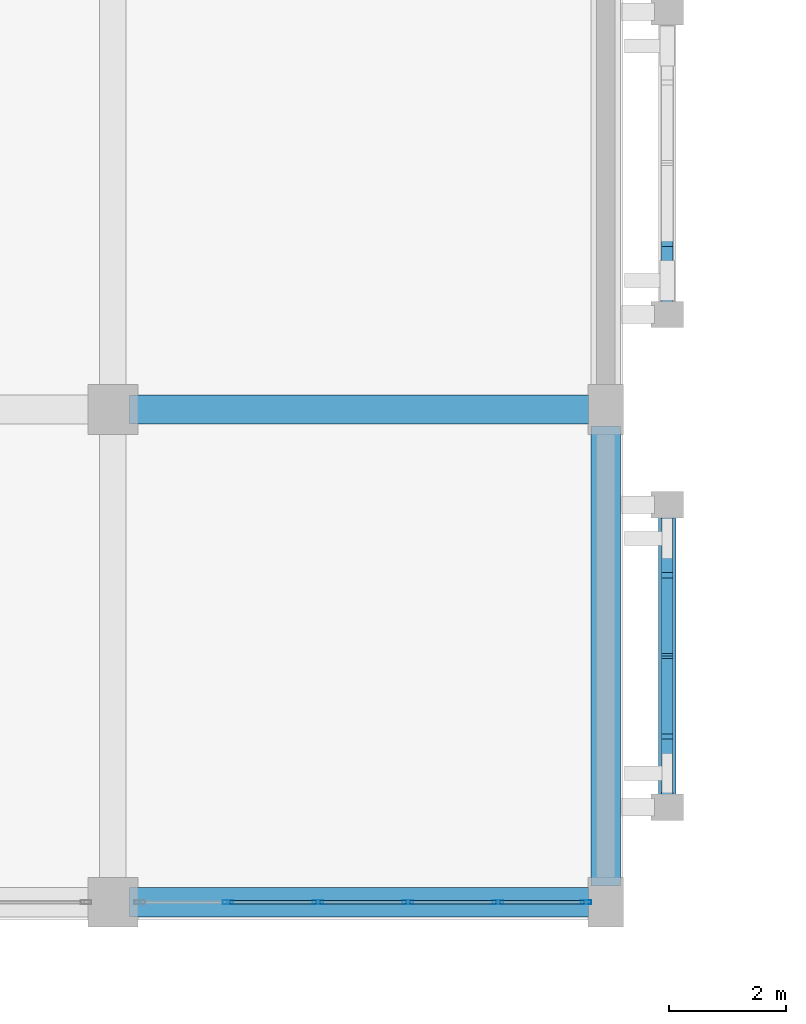
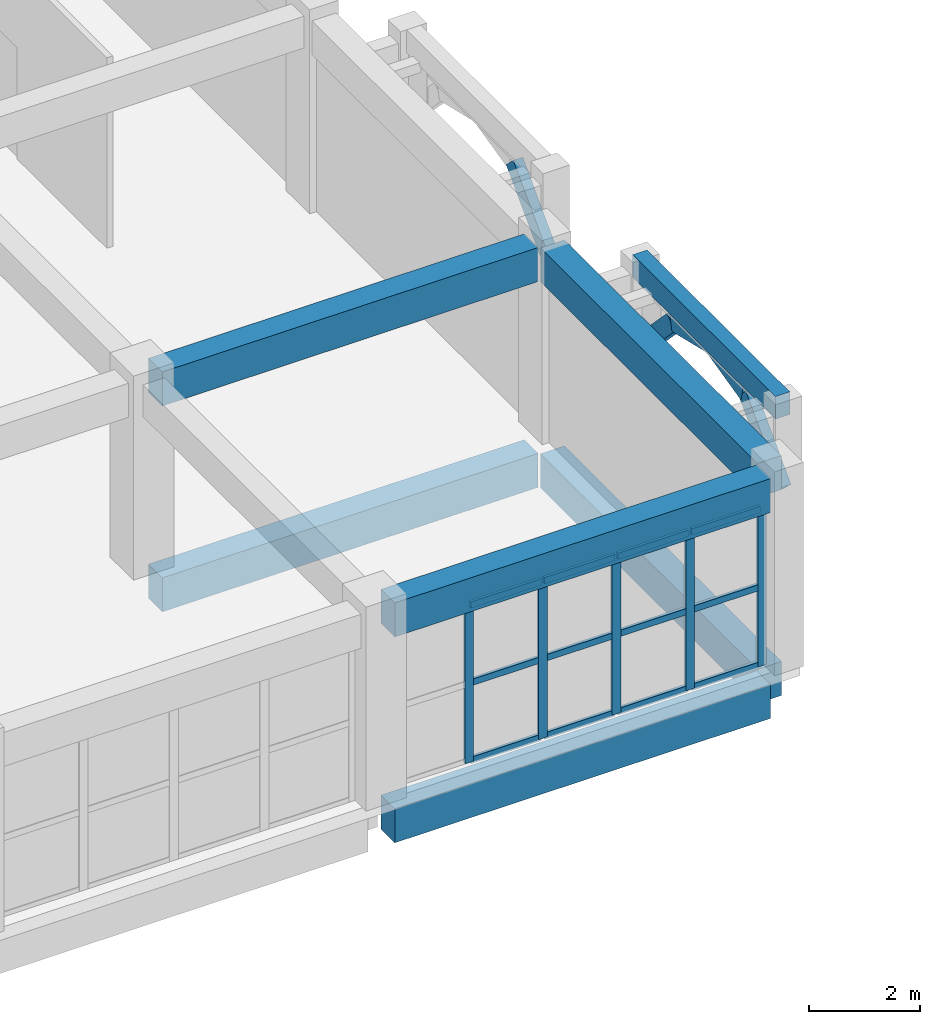
# One storey, part 32 of 129: 22 members, 7 beams, 1 element without a shape of its own.
"""IFC4 building model written with IfcOpenShell, lengths in metres."""

import ifcopenshell
import ifcopenshell.guid

model = None  # the IFC model being written
_history = None  # IfcOwnerHistory: only IFC2X3 demands one
_inside = {}  # id of a spatial element -> (the spatial element, [elements in it])
_under = {}  # id of a project, library or spatial element -> (it, [spatial elements below it])
_declared = {}  # id of a project -> (the project, [libraries it declares])
_typed = {}  # id of a type object -> (the type object, [elements of that type])
_made_of = {}  # id of a material, layer set ... -> (it, [elements and type objects made of it])


def new_model(schema):
    """Start an empty IFC model of exactly this schema.

    Asked for "IFC4X3", IfcOpenShell would pick the latest addendum, in which some entities
    have other attributes; the version numbers below select the first issue.
    IFC2X3 requires an IfcOwnerHistory on every rooted entity: one is made here for all.
    """
    global model, _history
    if schema == "IFC4X3":
        model = ifcopenshell.file(schema_version=(4, 3, 0, 0))
    else:
        model = ifcopenshell.file(schema=schema)
    _inside.clear()
    _under.clear()
    _declared.clear()
    _typed.clear()
    _made_of.clear()
    _history = None
    if model.schema == "IFC2X3":
        org = make("IfcOrganization", Name="unknown")
        user = make(
            "IfcPersonAndOrganization",
            ThePerson=make("IfcPerson", FamilyName="unknown"),
            TheOrganization=org,
        )
        app = make(
            "IfcApplication",
            ApplicationDeveloper=org,
            Version="unknown",
            ApplicationFullName="unknown",
            ApplicationIdentifier="unknown",
        )
        _history = make(
            "IfcOwnerHistory",
            OwningUser=user,
            OwningApplication=app,
            ChangeAction="ADDED",
            CreationDate=0,
        )
    return model


def make(cls, **values):
    """One entity of the class cls with the attributes given. An attribute that is None is left unset."""
    return model.create_entity(
        cls, **{name: value for name, value in values.items() if value is not None}
    )


def rooted(cls, **values):
    """An entity with a GlobalId (a new one), such as an element, a storey or a relation."""
    return make(cls, GlobalId=ifcopenshell.guid.new(), OwnerHistory=_history, **values)


def si_unit(unit_type, name, prefix=None):
    """IfcSIUnit, for example si_unit("LENGTHUNIT", "METRE", prefix="MILLI")."""
    return make("IfcSIUnit", UnitType=unit_type, Prefix=prefix, Name=name)


def assignment(units):
    """IfcUnitAssignment: the units of a project."""
    return None if units is None else make("IfcUnitAssignment", Units=units)


def point(xyz):
    """IfcCartesianPoint."""
    return None if xyz is None else make("IfcCartesianPoint", Coordinates=xyz)


def direction(xyz):
    """IfcDirection."""
    return None if xyz is None else make("IfcDirection", DirectionRatios=xyz)


def frame(location, z_axis=None, x_axis=None):
    """IfcAxis2Placement3D, a coordinate frame: its origin and axes. An axis left out is left unset."""
    return make(
        "IfcAxis2Placement3D",
        Location=point(location),
        Axis=direction(z_axis),
        RefDirection=direction(x_axis),
    )


def frame_2d(location, x_axis=None):
    """IfcAxis2Placement2D, a coordinate frame in the plane: its origin and x axis."""
    return make(
        "IfcAxis2Placement2D", Location=point(location), RefDirection=direction(x_axis)
    )


def origin():
    """The frame at (0, 0, 0) with its axes left unset."""
    return frame((0.0, 0.0, 0.0))


def origin_2d():
    """The frame at (0, 0) in the plane with its x axis left unset."""
    return frame_2d((0.0, 0.0))


def place(relative_to, where):
    """IfcLocalPlacement: puts the frame where relative to a parent placement (None: the world)."""
    return make(
        "IfcLocalPlacement", PlacementRelTo=relative_to, RelativePlacement=where
    )


def context(
    kind, dimensions, precision=None, world=None, true_north=None, identifier=None
):
    """IfcGeometricRepresentationContext, for example the 3D "Model" context."""
    return make(
        "IfcGeometricRepresentationContext",
        ContextIdentifier=identifier,
        ContextType=kind,
        CoordinateSpaceDimension=dimensions,
        Precision=precision,
        WorldCoordinateSystem=world,
        TrueNorth=true_north,
    )


def subcontext(parent, identifier, kind, view, scale=None):
    """IfcGeometricRepresentationSubContext, for example "Body" below "Model"."""
    return make(
        "IfcGeometricRepresentationSubContext",
        ContextIdentifier=identifier,
        ContextType=kind,
        ParentContext=parent,
        TargetScale=scale,
        TargetView=view,
    )


def project(units=None, contexts=None):
    """IfcProject with its units and contexts."""
    return rooted(
        "IfcProject",
        Name="project",
        RepresentationContexts=contexts,
        UnitsInContext=assignment(units),
    )


def spatial(cls, under=None, at=None, **own):
    """A site, building, storey or space (cls), placed at a placement, below another one or the project."""
    s = rooted(cls, ObjectPlacement=at, **own)
    if under is not None:
        _under.setdefault(under.id(), (under, []))[1].append(s)
    return s


def profile(cls, at=None, kind="AREA", **sizes):
    """A parametric profile (cls). Its sizes go by their IFC names, for example OverallWidth=200.0."""
    return make(cls, ProfileType=kind, Position=at, **sizes)


def rectangle(**sizes):
    """IfcRectangleProfileDef."""
    return profile("IfcRectangleProfileDef", **sizes)


def hollow_rectangle(**sizes):
    """IfcRectangleHollowProfileDef."""
    return profile("IfcRectangleHollowProfileDef", **sizes)


def extrude(swept, where, along, depth):
    """IfcExtrudedAreaSolid: the profile swept, set in the frame where, extruded along a direction by depth."""
    return make(
        "IfcExtrudedAreaSolid",
        SweptArea=swept,
        Position=where,
        ExtrudedDirection=direction(along),
        Depth=depth,
    )


def shape(context_of_items, identifier, shape_type, items):
    """IfcShapeRepresentation: the items that make up one representation, for example the "Body"."""
    return make(
        "IfcShapeRepresentation",
        ContextOfItems=context_of_items,
        RepresentationIdentifier=identifier,
        RepresentationType=shape_type,
        Items=items,
    )


def material(Name=None, Category=None):
    """IfcMaterial."""
    return make("IfcMaterial", Name=Name, Category=Category)


def layer(
    of_material, thickness, ventilated=None, Name=None, Category=None, Priority=None
):
    """IfcMaterialLayer: one layer of a wall or slab, of a material (None: an air gap)."""
    return make(
        "IfcMaterialLayer",
        Material=of_material,
        LayerThickness=thickness,
        IsVentilated=ventilated,
        Name=Name,
        Category=Category,
        Priority=Priority,
    )


def layer_set(layers, Name=None):
    """IfcMaterialLayerSet."""
    return make("IfcMaterialLayerSet", MaterialLayers=layers, LayerSetName=Name)


def material_profile(
    of_material, cross_section, Name=None, Category=None, Priority=None
):
    """IfcMaterialProfile: a cross section and its material."""
    return make(
        "IfcMaterialProfile",
        Name=Name,
        Material=of_material,
        Profile=cross_section,
        Priority=Priority,
        Category=Category,
    )


def profile_set(profiles, Name=None, composite=None):
    """IfcMaterialProfileSet."""
    return make(
        "IfcMaterialProfileSet",
        Name=Name,
        MaterialProfiles=profiles,
        CompositeProfile=composite,
    )


def made_of(thing, what):
    """Note that an element or type object is made of a material, layer set ...; save() writes the relation."""
    if what is not None:
        _made_of.setdefault(what.id(), (what, []))[1].append(thing)
    return thing


def type_object(cls, material=None, **own):
    """A type object (cls), such as IfcWallType, which elements share."""
    return made_of(rooted(cls, **own), material)


def element(
    cls,
    number,
    at=None,
    inside=None,
    cuts=None,
    type_object=None,
    material=None,
    context=None,
    identifier="Body",
    shape_type=None,
    held_by="IfcProductDefinitionShape",
    body=None,
    shapes=None,
    **own,
):
    """One element of the class cls, such as IfcWall. Its Tag is "e" and its number.

    at: its placement. inside: the storey or other place that contains it. cuts: it is an
    opening in that element (IfcRelVoidsElement). A single representation is given by context,
    identifier, shape_type and body (its items); several are given by shapes. held_by: the class
    of the entity that holds the representations. save() writes the other relations.
    """
    e = rooted(cls, Tag="e%d" % number, ObjectPlacement=at, **own)
    if body is not None:
        shapes = [shape(context, identifier, shape_type, body)]
    if shapes is not None:
        e.Representation = make(held_by, Representations=shapes)
    if inside is not None:
        _inside.setdefault(inside.id(), (inside, []))[1].append(e)
    if cuts is not None:
        rooted(
            "IfcRelVoidsElement", RelatingBuildingElement=cuts, RelatedOpeningElement=e
        )
    if type_object is not None:
        _typed.setdefault(type_object.id(), (type_object, []))[1].append(e)
    return made_of(e, material)


def aggregate(whole, parts):
    """IfcRelAggregates: a whole, such as a stair, and the parts it consists of."""
    return rooted("IfcRelAggregates", RelatingObject=whole, RelatedObjects=parts)


def save(model, path):
    """Write the relations noted so far, then the file.

    IfcRelAggregates (storeys below a building ...), IfcRelContainedInSpatialStructure (elements
    in a storey), IfcRelDefinesByType, IfcRelAssociatesMaterial and IfcRelDeclares: one each for
    every whole, place, type object, material and project.
    """
    for whole, parts in _under.values():
        aggregate(whole, parts)
    for where, things in _inside.values():
        rooted(
            "IfcRelContainedInSpatialStructure",
            RelatedElements=things,
            RelatingStructure=where,
        )
    for kind, things in _typed.values():
        rooted("IfcRelDefinesByType", RelatedObjects=things, RelatingType=kind)
    for what, things in _made_of.values():
        rooted("IfcRelAssociatesMaterial", RelatedObjects=things, RelatingMaterial=what)
    for by, libraries in _declared.values():
        rooted("IfcRelDeclares", RelatingContext=by, RelatedDefinitions=libraries)
    model.write(path)


model = new_model("IFC4")

# Units and contexts
model_context = context("Model", 3, precision=1e-05, world=origin(), true_north=direction((0.0, 1.0)))
body_context = subcontext(model_context, "Body", "Model", "MODEL_VIEW")
ifc_project = project(units=[si_unit("LENGTHUNIT", "METRE"), si_unit("AREAUNIT", "SQUARE_METRE"), si_unit("VOLUMEUNIT", "CUBIC_METRE"), si_unit("PLANEANGLEUNIT", "RADIAN"), si_unit("MASSUNIT", "GRAM", prefix="KILO")], contexts=[model_context])

# Site, building, storey
site_placement = place(None, origin())
site = spatial("IfcSite", under=ifc_project, at=site_placement, CompositionType="ELEMENT")
building_placement = place(site_placement, origin())
building = spatial("IfcBuilding", under=site, at=building_placement, Name="Xazarin Passage Department Store", CompositionType="ELEMENT")
storey_placement = place(building_placement, frame((0.0, 0.0, 9.89990234375)))
storey = spatial("IfcBuildingStorey", under=building, at=storey_placement, Name="L02", CompositionType="ELEMENT", Elevation=9.89990234375)

# Curtain wall, members
ifc_material_1 = material(Name="Bronze anodised aluminium", Category="aluminium")
ifc_layer = layer(ifc_material_1, 0.159912109375)
ifc_layer_set = layer_set([ifc_layer], Name="Bronze anodised aluminium")
curtain_wall_type = type_object("IfcCurtainWallType", Name="ARC-CW-ARC1", PredefinedType="NOTDEFINED", material=ifc_layer_set)
curtain_wall_placement = place(storey_placement, origin())
curtain_wall = element("IfcCurtainWall", 1, at=curtain_wall_placement, inside=storey, type_object=curtain_wall_type, Name="L02 V2S Curtain Wall 107", PredefinedType="NOTDEFINED")
ifc_material_profile_1 = material_profile(ifc_material_1, hollow_rectangle(XDim=0.06494140625, YDim=0.179931640625, WallThickness=0.00390625, at=origin_2d()), Name="ALU 65x180")
ifc_profile_set_1 = profile_set([ifc_material_profile_1], Name="Bronze anodised aluminium")
member_type_1 = type_object("IfcMemberType", Name="ARC-CWM-65x180", PredefinedType="MULLION", material=ifc_profile_set_1)
member_1_placement = place(storey_placement, frame((95.159912109375, 0.0, 0.0), z_axis=(0.0, 0.0, 1.0), x_axis=(0.0, 1.0, 0.0)))
member_1 = element("IfcMember", 2, at=member_1_placement, type_object=member_type_1, Name="CW3 mullion 2", PredefinedType="MULLION", context=body_context, shape_type="SweptSolid", body=[
    extrude(hollow_rectangle(XDim=0.06494140625, YDim=0.179931640625, WallThickness=0.00390625, at=origin_2d()), origin(), (0.0, 0.0, 1.0), 3.489990234375),
])
member_2_placement = place(storey_placement, frame((96.695068359375, 0.0, 0.0), z_axis=(0.0, 0.0, 1.0), x_axis=(0.0, 1.0, 0.0)))
member_2 = element("IfcMember", 3, at=member_2_placement, type_object=member_type_1, Name="CW3 mullion 3", PredefinedType="MULLION", context=body_context, shape_type="SweptSolid", body=[
    extrude(hollow_rectangle(XDim=0.06494140625, YDim=0.179931640625, WallThickness=0.00390625, at=origin_2d()), origin(), (0.0, 0.0, 1.0), 3.489990234375),
])
member_3_placement = place(storey_placement, frame((98.22998046875, 0.0, 0.0), z_axis=(0.0, 0.0, 1.0), x_axis=(0.0, 1.0, 0.0)))
member_3 = element("IfcMember", 4, at=member_3_placement, type_object=member_type_1, Name="CW3 mullion 4", PredefinedType="MULLION", context=body_context, shape_type="SweptSolid", body=[
    extrude(hollow_rectangle(XDim=0.06494140625, YDim=0.179931640625, WallThickness=0.00390625, at=origin_2d()), origin(), (0.0, 0.0, 1.0), 3.489990234375),
])
member_4_placement = place(storey_placement, frame((99.764892578125, 0.0, 0.0), z_axis=(0.0, 0.0, 1.0), x_axis=(0.0, 1.0, 0.0)))
member_4 = element("IfcMember", 5, at=member_4_placement, type_object=member_type_1, Name="CW3 mullion 5", PredefinedType="MULLION", context=body_context, shape_type="SweptSolid", body=[
    extrude(hollow_rectangle(XDim=0.06494140625, YDim=0.179931640625, WallThickness=0.00390625, at=origin_2d()), origin(), (0.0, 0.0, 1.0), 3.489990234375),
])
member_5_placement = place(storey_placement, frame((101.267578125, 0.0, 0.0), z_axis=(0.0, 0.0, 1.0), x_axis=(0.0, 1.0, 0.0)))
member_5 = element("IfcMember", 6, at=member_5_placement, type_object=member_type_1, Name="CW3 mullion 6", PredefinedType="MULLION", context=body_context, shape_type="SweptSolid", body=[
    extrude(hollow_rectangle(XDim=0.06494140625, YDim=0.179931640625, WallThickness=0.00390625, at=origin_2d()), origin(), (0.0, 0.0, 1.0), 3.489990234375),
])
ifc_material_profile_2 = material_profile(ifc_material_1, hollow_rectangle(XDim=0.06494140625, YDim=0.139892578125, WallThickness=0.00390625, at=origin_2d()), Name="ALU 65x140")
ifc_profile_set_2 = profile_set([ifc_material_profile_2], Name="Bronze anodised aluminium")
member_type_2 = type_object("IfcMemberType", Name="ARC-CWT-65x140", PredefinedType="USERDEFINED", material=ifc_profile_set_2)
member_6_placement = place(storey_placement, frame((95.1923828125, 0.0, 0.03271484375), z_axis=(1.0, 0.0, 0.0), x_axis=(0.0, 1.0, 0.0)))
member_6 = element("IfcMember", 7, at=member_6_placement, type_object=member_type_2, Name="CW3 transom 2.1", ObjectType="TRANSOM", PredefinedType="USERDEFINED", context=body_context, shape_type="SweptSolid", body=[
    extrude(hollow_rectangle(XDim=0.06494140625, YDim=0.139892578125, WallThickness=0.00390625, at=origin_2d()), origin(), (0.0, 0.0, 1.0), 1.47021484375),
])
member_7_placement = place(storey_placement, frame((95.1923828125, 0.0, 1.7451171875), z_axis=(1.0, 0.0, 0.0), x_axis=(0.0, 1.0, 0.0)))
member_7 = element("IfcMember", 8, at=member_7_placement, type_object=member_type_2, Name="CW3 transom 2.2", ObjectType="TRANSOM", PredefinedType="USERDEFINED", context=body_context, shape_type="SweptSolid", body=[
    extrude(hollow_rectangle(XDim=0.06494140625, YDim=0.139892578125, WallThickness=0.00390625, at=origin_2d()), origin(), (0.0, 0.0, 1.0), 1.47021484375),
])
member_8_placement = place(storey_placement, frame((95.1923828125, 0.0, 3.45751953125), z_axis=(1.0, 0.0, 0.0), x_axis=(0.0, 1.0, 0.0)))
member_8 = element("IfcMember", 9, at=member_8_placement, type_object=member_type_2, Name="CW3 transom 2.3", ObjectType="TRANSOM", PredefinedType="USERDEFINED", context=body_context, shape_type="SweptSolid", body=[
    extrude(hollow_rectangle(XDim=0.06494140625, YDim=0.139892578125, WallThickness=0.00390625, at=origin_2d()), origin(), (0.0, 0.0, 1.0), 1.47021484375),
])
member_9_placement = place(storey_placement, frame((96.7275390625, 0.0, 0.03271484375), z_axis=(1.0, 0.0, 0.0), x_axis=(0.0, 1.0, 0.0)))
member_9 = element("IfcMember", 10, at=member_9_placement, type_object=member_type_2, Name="CW3 transom 3.1", ObjectType="TRANSOM", PredefinedType="USERDEFINED", context=body_context, shape_type="SweptSolid", body=[
    extrude(hollow_rectangle(XDim=0.06494140625, YDim=0.139892578125, WallThickness=0.00390625, at=origin_2d()), origin(), (0.0, 0.0, 1.0), 1.469970703125),
])
member_10_placement = place(storey_placement, frame((96.7275390625, 0.0, 1.7451171875), z_axis=(1.0, 0.0, 0.0), x_axis=(0.0, 1.0, 0.0)))
member_10 = element("IfcMember", 11, at=member_10_placement, type_object=member_type_2, Name="CW3 transom 3.2", ObjectType="TRANSOM", PredefinedType="USERDEFINED", context=body_context, shape_type="SweptSolid", body=[
    extrude(hollow_rectangle(XDim=0.06494140625, YDim=0.139892578125, WallThickness=0.00390625, at=origin_2d()), origin(), (0.0, 0.0, 1.0), 1.469970703125),
])
member_11_placement = place(storey_placement, frame((96.7275390625, 0.0, 3.45751953125), z_axis=(1.0, 0.0, 0.0), x_axis=(0.0, 1.0, 0.0)))
member_11 = element("IfcMember", 12, at=member_11_placement, type_object=member_type_2, Name="CW3 transom 3.3", ObjectType="TRANSOM", PredefinedType="USERDEFINED", context=body_context, shape_type="SweptSolid", body=[
    extrude(hollow_rectangle(XDim=0.06494140625, YDim=0.139892578125, WallThickness=0.00390625, at=origin_2d()), origin(), (0.0, 0.0, 1.0), 1.469970703125),
])
member_12_placement = place(storey_placement, frame((98.262451171875, 0.0, 0.03271484375), z_axis=(1.0, 0.0, 0.0), x_axis=(0.0, 1.0, 0.0)))
member_12 = element("IfcMember", 13, at=member_12_placement, type_object=member_type_2, Name="CW3 transom 4.1", ObjectType="TRANSOM", PredefinedType="USERDEFINED", context=body_context, shape_type="SweptSolid", body=[
    extrude(hollow_rectangle(XDim=0.06494140625, YDim=0.139892578125, WallThickness=0.00390625, at=origin_2d()), origin(), (0.0, 0.0, 1.0), 1.469970703125),
])
member_13_placement = place(storey_placement, frame((98.262451171875, 0.0, 1.7451171875), z_axis=(1.0, 0.0, 0.0), x_axis=(0.0, 1.0, 0.0)))
member_13 = element("IfcMember", 14, at=member_13_placement, type_object=member_type_2, Name="CW3 transom 4.2", ObjectType="TRANSOM", PredefinedType="USERDEFINED", context=body_context, shape_type="SweptSolid", body=[
    extrude(hollow_rectangle(XDim=0.06494140625, YDim=0.139892578125, WallThickness=0.00390625, at=origin_2d()), origin(), (0.0, 0.0, 1.0), 1.469970703125),
])
member_14_placement = place(storey_placement, frame((98.262451171875, 0.0, 3.45751953125), z_axis=(1.0, 0.0, 0.0), x_axis=(0.0, 1.0, 0.0)))
member_14 = element("IfcMember", 15, at=member_14_placement, type_object=member_type_2, Name="CW3 transom 4.3", ObjectType="TRANSOM", PredefinedType="USERDEFINED", context=body_context, shape_type="SweptSolid", body=[
    extrude(hollow_rectangle(XDim=0.06494140625, YDim=0.139892578125, WallThickness=0.00390625, at=origin_2d()), origin(), (0.0, 0.0, 1.0), 1.469970703125),
])
member_15_placement = place(storey_placement, frame((99.797607421875, 0.0, 0.03271484375), z_axis=(1.0, 0.0, 0.0), x_axis=(0.0, 1.0, 0.0)))
member_15 = element("IfcMember", 16, at=member_15_placement, type_object=member_type_2, Name="CW3 transom 5.1", ObjectType="TRANSOM", PredefinedType="USERDEFINED", context=body_context, shape_type="SweptSolid", body=[
    extrude(hollow_rectangle(XDim=0.06494140625, YDim=0.139892578125, WallThickness=0.00390625, at=origin_2d()), origin(), (0.0, 0.0, 1.0), 1.4375),
])
member_16_placement = place(storey_placement, frame((99.797607421875, 0.0, 1.7451171875), z_axis=(1.0, 0.0, 0.0), x_axis=(0.0, 1.0, 0.0)))
member_16 = element("IfcMember", 17, at=member_16_placement, type_object=member_type_2, Name="CW3 transom 5.2", ObjectType="TRANSOM", PredefinedType="USERDEFINED", context=body_context, shape_type="SweptSolid", body=[
    extrude(hollow_rectangle(XDim=0.06494140625, YDim=0.139892578125, WallThickness=0.00390625, at=origin_2d()), origin(), (0.0, 0.0, 1.0), 1.4375),
])
member_17_placement = place(storey_placement, frame((99.797607421875, 0.0, 3.45751953125), z_axis=(1.0, 0.0, 0.0), x_axis=(0.0, 1.0, 0.0)))
member_17 = element("IfcMember", 18, at=member_17_placement, type_object=member_type_2, Name="CW3 transom 5.3", ObjectType="TRANSOM", PredefinedType="USERDEFINED", context=body_context, shape_type="SweptSolid", body=[
    extrude(hollow_rectangle(XDim=0.06494140625, YDim=0.139892578125, WallThickness=0.00390625, at=origin_2d()), origin(), (0.0, 0.0, 1.0), 1.4375),
])
aggregate(curtain_wall, [member_1, member_2, member_3, member_4, member_5, member_6, member_7, member_8, member_9, member_10, member_11, member_12, member_13, member_14, member_15, member_16, member_17])

# Beams
ifc_material_2 = material(Name="Concrete C35/45", Category="concrete")
ifc_material_profile_3 = material_profile(ifc_material_2, rectangle(XDim=0.300048828125, YDim=0.5, at=origin_2d()), Name="RC 300x500")
ifc_profile_set_3 = profile_set([ifc_material_profile_3], Name="Concrete C35/45")
beam_type_1 = type_object("IfcBeamType", Name="STR-BM-LN300x500", PredefinedType="LINTEL", material=ifc_profile_set_3)
beam_placement = place(storey_placement, frame((102.64990234375, 1.6201171875, 4.25), z_axis=(0.0, 1.0, 0.0), x_axis=(-1.0, 0.0, 0.0)))
element("IfcBeam", 19, at=beam_placement, inside=storey, type_object=beam_type_1, Name="L02 V2S Colonnade Spandrel Beam 018", PredefinedType="LINTEL", context=body_context, shape_type="SweptSolid", body=[
    extrude(rectangle(XDim=0.300048828125, YDim=0.5, at=origin_2d()), origin(), (0.0, 0.0, 1.0), 5.159912109375),
])
ifc_material_profile_4 = material_profile(ifc_material_2, rectangle(XDim=0.5, YDim=0.75, at=origin_2d()), Name="RC 500x750")
ifc_profile_set_4 = profile_set([ifc_material_profile_4], Name="Concrete C35/45")
beam_type_2 = type_object("IfcBeamType", Name="STR-BM-SP500x750", PredefinedType="SPANDREL", material=ifc_profile_set_4)
for number, where, z_axis, x_axis, name in (
    (20, (93.47998046875, 0.0, -0.6748046875), (1.0, 0.0, 0.0), (0.0, 1.0, 0.0), "L02 Grid Beam A/13-14"),
    (21, (93.47998046875, 8.39990234375, -0.6748046875), (1.0, 0.0, 0.0), (0.0, 1.0, 0.0), "L02 Grid Beam B/13-14"),
    (22, (101.60009765625, 0.280029296875, -0.6748046875), (0.0, 1.0, 0.0), (-1.0, 0.0, 0.0), "L02 Grid Beam 14/A-B"),
    (23, (93.47998046875, 0.0, 3.864990234375), (1.0, 0.0, 0.0), (0.0, 1.0, 0.0), "L02 Grid Beam A/13-14"),
    (24, (93.47998046875, 8.39990234375, 3.864990234375), (1.0, 0.0, 0.0), (0.0, 1.0, 0.0), "L02 Grid Beam B/13-14"),
    (25, (101.60009765625, 0.280029296875, 3.864990234375), (0.0, 1.0, 0.0), (-1.0, 0.0, 0.0), "L02 Grid Beam 14/A-B"),
):
    element("IfcBeam", number, at=place(storey_placement, frame(where, z_axis=z_axis, x_axis=x_axis)), inside=storey, type_object=beam_type_2, Name=name, PredefinedType="SPANDREL", context=body_context, shape_type="SweptSolid", body=[
        extrude(rectangle(XDim=0.5, YDim=0.75, at=origin_2d()), origin(), (0.0, 0.0, 1.0), 7.840087890625),
    ])

# Members
ifc_material_3 = material(Name="Concrete C40/50", Category="concrete")
ifc_material_profile_5 = material_profile(ifc_material_3, rectangle(XDim=0.199951171875, YDim=0.360107421875, at=origin_2d()), Name="RC 200x360")
ifc_profile_set_5 = profile_set([ifc_material_profile_5], Name="Concrete C40/50")
member_type_3 = type_object("IfcMemberType", Name="STR-MEM-ARC360", PredefinedType="CHORD", material=ifc_profile_set_5)
member_18_placement = place(storey_placement, frame((102.64990234375, 1.6201171875, 2.43017578125), z_axis=(0.0, 0.693391944082, 0.720560623322), x_axis=(-1.0, 0.0, 0.0)))
element("IfcMember", 26, at=member_18_placement, inside=storey, type_object=member_type_3, Name="L02 V2S Pierced Lattice Curved Arch 018.1", PredefinedType="CHORD", context=body_context, shape_type="SweptSolid", body=[
    extrude(rectangle(XDim=0.199951171875, YDim=0.360107421875, at=origin_2d()), origin(), (0.0, 0.0, 1.0), 1.860107421875),
])
for number, where, z_axis, x_axis, name in (
    (27, (102.64990234375, 2.909912109375, 3.7705078125), (0.0, 0.972393983317, 0.233345111818), (-1.0, 0.0, 0.0), "L02 V2S Pierced Lattice Curved Arch 018.2"),
    (28, (102.64990234375, 4.199951171875, 4.080078125), (0.0, 0.972393983317, -0.233345111818), (-1.0, 0.0, 0.0), "L02 V2S Pierced Lattice Curved Arch 018.3"),
):
    element("IfcMember", number, at=place(storey_placement, frame(where, z_axis=z_axis, x_axis=x_axis)), inside=storey, type_object=member_type_3, Name=name, PredefinedType="CHORD", context=body_context, shape_type="SweptSolid", body=[
        extrude(rectangle(XDim=0.199951171875, YDim=0.360107421875, at=origin_2d()), origin(), (0.0, 0.0, 1.0), 1.32666015625),
    ])
for number, where, z_axis, x_axis, name in (
    (29, (102.64990234375, 5.489990234375, 3.7705078125), (0.0, 0.693460080602, -0.720495049679), (-1.0, 0.0, 0.0), "L02 V2S Pierced Lattice Curved Arch 018.4"),
    (30, (102.64990234375, 10.02001953125, 2.43017578125), (0.0, 0.693460080602, 0.720495049679), (-1.0, 0.0, 0.0), "L02 V2S Pierced Lattice Curved Arch 019.1"),
):
    element("IfcMember", number, at=place(storey_placement, frame(where, z_axis=z_axis, x_axis=x_axis)), inside=storey, type_object=member_type_3, Name=name, PredefinedType="CHORD", context=body_context, shape_type="SweptSolid", body=[
        extrude(rectangle(XDim=0.199951171875, YDim=0.360107421875, at=origin_2d()), origin(), (0.0, 0.0, 1.0), 1.8603515625),
    ])

save(model, "model.ifc")
